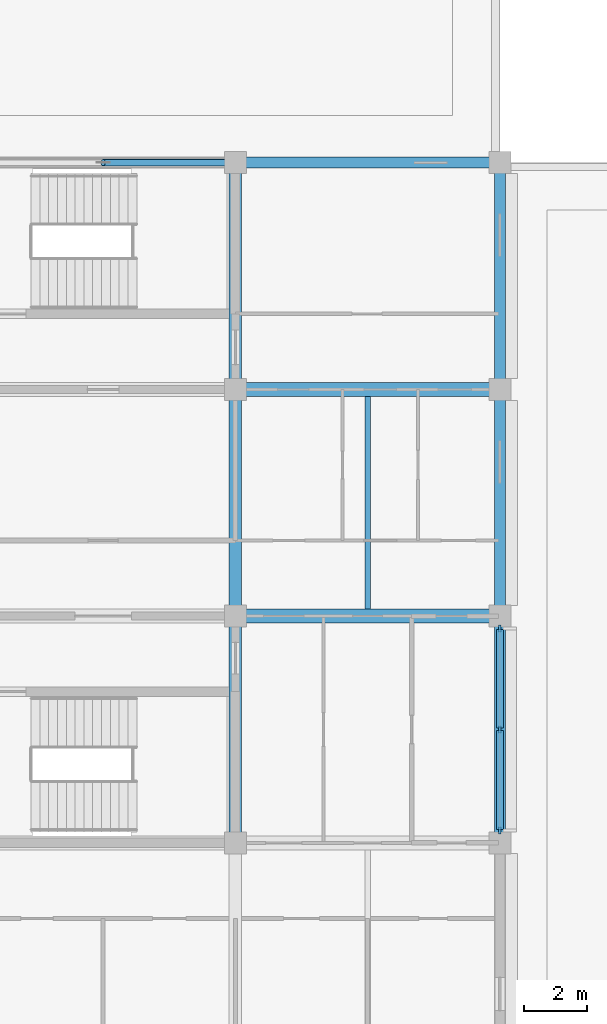
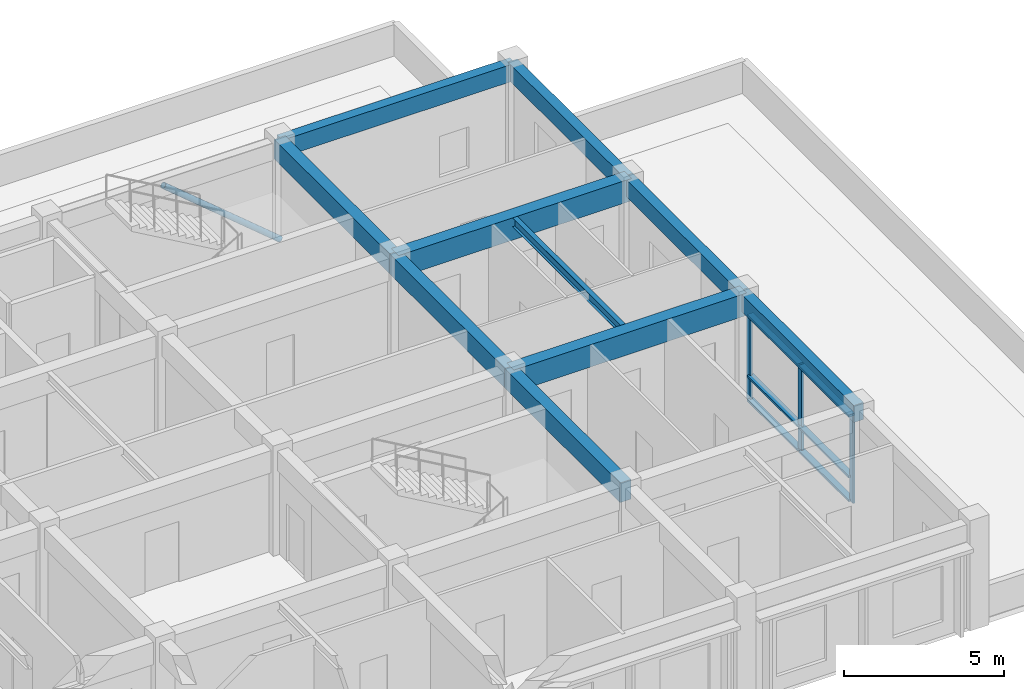
# One storey, part 5 of 19: 10 beams, 10 members, 1 element without a shape of its own.
"""IFC4 building model written with IfcOpenShell, lengths in metres."""

from ifc_helpers import new_model, si_unit, direction, frame, origin, origin_2d, place, context, subcontext, project, spatial, rectangle, hollow_circle, i_section, extrude, material, layer, layer_set, material_profile, profile_set, type_object, element, aggregate, save


model = new_model("IFC4")

# Units and contexts
model_context = context("Model", 3, precision=1e-05, world=origin(), true_north=direction((0.0, 1.0)))
body_context = subcontext(model_context, "Body", "Model", "MODEL_VIEW")
ifc_project = project(units=[si_unit("LENGTHUNIT", "METRE"), si_unit("AREAUNIT", "SQUARE_METRE"), si_unit("VOLUMEUNIT", "CUBIC_METRE"), si_unit("PLANEANGLEUNIT", "RADIAN"), si_unit("MASSUNIT", "GRAM", prefix="KILO")], contexts=[model_context])

# Site, building, storey
site_placement = place(None, origin())
site = spatial("IfcSite", under=ifc_project, at=site_placement, CompositionType="ELEMENT")
building_placement = place(site_placement, origin())
building = spatial("IfcBuilding", under=site, at=building_placement, Name="Chengyuan Square Courthouse", CompositionType="ELEMENT")
storey_placement = place(building_placement, frame((0.0, 0.0, 47.699951171875)))
storey = spatial("IfcBuildingStorey", under=building, at=storey_placement, Name="L11", CompositionType="ELEMENT", Elevation=47.699951171875)

# Beams
ifc_material_1 = material(Name="Concrete C40", Category="concrete")
ifc_material_profile_1 = material_profile(ifc_material_1, rectangle(XDim=0.449951171875, YDim=0.85009765625, at=origin_2d()), Name="RC-BM-450x850")
ifc_profile_set_1 = profile_set([ifc_material_profile_1], Name="Concrete C40")
beam_type_1 = type_object("IfcBeamType", Name="BM-01", PredefinedType="USERDEFINED", material=ifc_profile_set_1)
for number, where, z_axis, x_axis, name in (
    (1, (109.199951171875, 93.60009765625, 3.53515625), (1.0, 0.0, 0.0), (0.0, 1.0, 0.0), "Girder BM-L11-4181"),
    (2, (109.199951171875, 100.800048828125, 3.53515625), (1.0, 0.0, 0.0), (0.0, 1.0, 0.0), "Girder BM-L11-4189"),
):
    element("IfcBeam", number, at=place(storey_placement, frame(where, z_axis=z_axis, x_axis=x_axis)), inside=storey, type_object=beam_type_1, Name=name, ObjectType="GIRDER", PredefinedType="USERDEFINED", context=body_context, shape_type="SweptSolid", body=[
        extrude(rectangle(XDim=0.449951171875, YDim=0.85009765625, at=origin_2d()), origin(), (0.0, 0.0, 1.0), 8.400146484375),
    ])
ifc_material_profile_2 = material_profile(ifc_material_1, rectangle(XDim=0.39990234375, YDim=0.75, at=origin_2d()), Name="RC-BM-400x750")
ifc_profile_set_2 = profile_set([ifc_material_profile_2], Name="Concrete C40")
beam_type_2 = type_object("IfcBeamType", Name="BM-02", PredefinedType="USERDEFINED", material=ifc_profile_set_2)
beam_1_placement = place(storey_placement, frame((109.199951171875, 86.39990234375, 3.5849609375), z_axis=(0.0, 1.0, 0.0), x_axis=(-1.0, 0.0, 0.0)))
element("IfcBeam", 3, at=beam_1_placement, inside=storey, type_object=beam_type_2, Name="Girder BM-L11-4227", ObjectType="GIRDER", PredefinedType="USERDEFINED", context=body_context, shape_type="SweptSolid", body=[
    extrude(rectangle(XDim=0.39990234375, YDim=0.75, at=origin_2d()), origin(), (0.0, 0.0, 1.0), 7.2001953125),
])
for number, where, z_axis, x_axis, name in (
    (4, (109.199951171875, 93.60009765625, 3.5849609375), (0.0, 1.0, 0.0), (-1.0, 0.0, 0.0), "Girder BM-L11-4228"),
    (5, (109.199951171875, 100.800048828125, 3.5849609375), (0.0, 1.0, 0.0), (-1.0, 0.0, 0.0), "Girder BM-L11-4229"),
):
    element("IfcBeam", number, at=place(storey_placement, frame(where, z_axis=z_axis, x_axis=x_axis)), inside=storey, type_object=beam_type_2, Name=name, ObjectType="GIRDER", PredefinedType="USERDEFINED", context=body_context, shape_type="SweptSolid", body=[
        extrude(rectangle(XDim=0.39990234375, YDim=0.75, at=origin_2d()), origin(), (0.0, 0.0, 1.0), 7.199951171875),
    ])
ifc_material_profile_3 = material_profile(ifc_material_1, rectangle(XDim=0.35009765625, YDim=0.64990234375, at=origin_2d()), Name="RC-BM-350x650")
ifc_profile_set_3 = profile_set([ifc_material_profile_3], Name="Concrete C40")
beam_type_3 = type_object("IfcBeamType", Name="BM-03", PredefinedType="SPANDREL", material=ifc_profile_set_3)
beam_2_placement = place(storey_placement, frame((109.199951171875, 108.0, 3.635009765625), z_axis=(1.0, 0.0, 0.0), x_axis=(0.0, 1.0, 0.0)))
element("IfcBeam", 6, at=beam_2_placement, inside=storey, type_object=beam_type_3, Name="Girder BM-L11-4197", PredefinedType="SPANDREL", context=body_context, shape_type="SweptSolid", body=[
    extrude(rectangle(XDim=0.35009765625, YDim=0.64990234375, at=origin_2d()), origin(), (0.0, 0.0, 1.0), 8.400146484375),
])
beam_3_placement = place(storey_placement, frame((117.60009765625, 86.39990234375, 3.635009765625), z_axis=(0.0, 1.0, 0.0), x_axis=(-1.0, 0.0, 0.0)))
element("IfcBeam", 7, at=beam_3_placement, inside=storey, type_object=beam_type_3, Name="Girder BM-L11-4231", PredefinedType="SPANDREL", context=body_context, shape_type="SweptSolid", body=[
    extrude(rectangle(XDim=0.35009765625, YDim=0.64990234375, at=origin_2d()), origin(), (0.0, 0.0, 1.0), 7.2001953125),
])
for number, where, z_axis, x_axis, name in (
    (8, (117.60009765625, 93.60009765625, 3.635009765625), (0.0, 1.0, 0.0), (-1.0, 0.0, 0.0), "Girder BM-L11-4232"),
    (9, (117.60009765625, 100.800048828125, 3.635009765625), (0.0, 1.0, 0.0), (-1.0, 0.0, 0.0), "Girder BM-L11-4233"),
):
    element("IfcBeam", number, at=place(storey_placement, frame(where, z_axis=z_axis, x_axis=x_axis)), inside=storey, type_object=beam_type_3, Name=name, PredefinedType="SPANDREL", context=body_context, shape_type="SweptSolid", body=[
        extrude(rectangle(XDim=0.35009765625, YDim=0.64990234375, at=origin_2d()), origin(), (0.0, 0.0, 1.0), 7.199951171875),
    ])
ifc_material_2 = material(Name="Steel Q355B", Category="steel")
ifc_material_profile_4 = material_profile(ifc_material_2, i_section(OverallWidth=0.175048828125, OverallDepth=0.35009765625, WebThickness=0.007080078125, FlangeThickness=0.010986328125, at=origin_2d()), Name="HN 350x175x7x11")
ifc_profile_set_4 = profile_set([ifc_material_profile_4], Name="Steel Q355B")
beam_type_4 = type_object("IfcBeamType", Name="BM-08", PredefinedType="BEAM", material=ifc_profile_set_4)
beam_4_placement = place(storey_placement, frame((113.39990234375, 93.824951171875, 3.78515625), z_axis=(0.0, 1.0, 0.0), x_axis=(-1.0, 0.0, 0.0)))
element("IfcBeam", 10, at=beam_4_placement, inside=storey, type_object=beam_type_4, Name="Secondary Floor Beam SBM-L11-4245", PredefinedType="BEAM", context=body_context, shape_type="SweptSolid", body=[
    extrude(i_section(OverallWidth=0.175048828125, OverallDepth=0.35009765625, WebThickness=0.007080078125, FlangeThickness=0.010986328125, at=origin_2d()), origin(), (0.0, 0.0, 1.0), 6.75),
])

# Member
ifc_material_profile_5 = material_profile(ifc_material_2, hollow_circle(Radius=0.109619140625, WallThickness=0.008056640625, at=origin_2d()), Name="CHS 219x8")
ifc_profile_set_5 = profile_set([ifc_material_profile_5], Name="Steel Q355B")
member_type_1 = type_object("IfcMemberType", Name="BR-02", PredefinedType="BRACE", material=ifc_profile_set_5)
member_1_placement = place(storey_placement, frame((109.199951171875, 108.0, 0.10009765625), z_axis=(-0.767317473151, 0.0, 0.641267413329), x_axis=(0.0, -1.0, 0.0)))
element("IfcMember", 11, at=member_1_placement, inside=storey, type_object=member_type_1, Name="Steel Chevron Brace BR-L11-044", PredefinedType="BRACE", context=body_context, shape_type="SweptSolid", body=[
    extrude(hollow_circle(Radius=0.109619140625, WallThickness=0.008056640625, at=origin_2d()), origin(), (0.0, 0.0, 1.0), 5.4736328125),
])

# Curtain wall, members
ifc_material_3 = material(Name="Unitised Aluminium and Triple Low-E Glass", Category="aluminium")
ifc_layer = layer(ifc_material_3, 0.219970703125)
ifc_layer_set = layer_set([ifc_layer], Name="Unitised Aluminium and Triple Low-E Glass")
curtain_wall_type = type_object("IfcCurtainWallType", Name="CW-20", PredefinedType="USERDEFINED", material=ifc_layer_set)
curtain_wall_placement = place(storey_placement, origin())
curtain_wall = element("IfcCurtainWall", 12, at=curtain_wall_placement, inside=storey, type_object=curtain_wall_type, Name="Unitised Curtain Wall CW-L11-263", ObjectType="UNITISED CURTAIN WALL", PredefinedType="USERDEFINED")
ifc_material_4 = material(Name="Aluminium 6063-T6 Frame", Category="aluminium")
ifc_material_profile_6 = material_profile(ifc_material_4, rectangle(XDim=0.080078125, YDim=0.219970703125, at=origin_2d()), Name="CW-MUL-80x220")
ifc_profile_set_6 = profile_set([ifc_material_profile_6], Name="Aluminium 6063-T6 Frame")
member_type_2 = type_object("IfcMemberType", Name="CWM-04", PredefinedType="MULLION", material=ifc_profile_set_6)
member_2_placement = place(storey_placement, frame((117.60009765625, 86.7900390625, 0.0), z_axis=(0.0, 0.0, 1.0), x_axis=(-1.0, 0.0, 0.0)))
member_2 = element("IfcMember", 13, at=member_2_placement, type_object=member_type_2, Name="CW-20 mullion 1", PredefinedType="MULLION", context=body_context, shape_type="SweptSolid", body=[
    extrude(rectangle(XDim=0.080078125, YDim=0.219970703125, at=origin_2d()), origin(), (0.0, 0.0, 1.0), 3.31005859375),
])
member_3_placement = place(storey_placement, frame((117.60009765625, 90.0, 0.0), z_axis=(0.0, 0.0, 1.0), x_axis=(-1.0, 0.0, 0.0)))
member_3 = element("IfcMember", 14, at=member_3_placement, type_object=member_type_2, Name="CW-20 mullion 2", PredefinedType="MULLION", context=body_context, shape_type="SweptSolid", body=[
    extrude(rectangle(XDim=0.080078125, YDim=0.219970703125, at=origin_2d()), origin(), (0.0, 0.0, 1.0), 3.31005859375),
])
member_4_placement = place(storey_placement, frame((117.60009765625, 93.2099609375, 0.0), z_axis=(0.0, 0.0, 1.0), x_axis=(-1.0, 0.0, 0.0)))
member_4 = element("IfcMember", 15, at=member_4_placement, type_object=member_type_2, Name="CW-20 mullion 3", PredefinedType="MULLION", context=body_context, shape_type="SweptSolid", body=[
    extrude(rectangle(XDim=0.080078125, YDim=0.219970703125, at=origin_2d()), origin(), (0.0, 0.0, 1.0), 3.31005859375),
])
ifc_material_profile_7 = material_profile(ifc_material_4, rectangle(XDim=0.219970703125, YDim=0.080078125, at=origin_2d()), Name="CW-TRN-80x180")
ifc_profile_set_7 = profile_set([ifc_material_profile_7], Name="Aluminium 6063-T6 Frame")
member_type_3 = type_object("IfcMemberType", Name="CWT-04", PredefinedType="USERDEFINED", material=ifc_profile_set_7)
member_5_placement = place(storey_placement, frame((117.60009765625, 86.830078125, 0.0400390625), z_axis=(0.0, 1.0, 0.0), x_axis=(-1.0, 0.0, 0.0)))
member_5 = element("IfcMember", 16, at=member_5_placement, type_object=member_type_3, Name="CW-20 transom 1.1", ObjectType="TRANSOM", PredefinedType="USERDEFINED", context=body_context, shape_type="SweptSolid", body=[
    extrude(rectangle(XDim=0.219970703125, YDim=0.080078125, at=origin_2d()), origin(), (0.0, 0.0, 1.0), 3.1298828125),
])
member_6_placement = place(storey_placement, frame((117.60009765625, 86.830078125, 0.949951171875), z_axis=(0.0, 1.0, 0.0), x_axis=(-1.0, 0.0, 0.0)))
member_6 = element("IfcMember", 17, at=member_6_placement, type_object=member_type_3, Name="CW-20 transom 1.2", ObjectType="TRANSOM", PredefinedType="USERDEFINED", context=body_context, shape_type="SweptSolid", body=[
    extrude(rectangle(XDim=0.219970703125, YDim=0.080078125, at=origin_2d()), origin(), (0.0, 0.0, 1.0), 3.1298828125),
])
member_7_placement = place(storey_placement, frame((117.60009765625, 86.830078125, 3.27001953125), z_axis=(0.0, 1.0, 0.0), x_axis=(-1.0, 0.0, 0.0)))
member_7 = element("IfcMember", 18, at=member_7_placement, type_object=member_type_3, Name="CW-20 transom 1.3", ObjectType="TRANSOM", PredefinedType="USERDEFINED", context=body_context, shape_type="SweptSolid", body=[
    extrude(rectangle(XDim=0.219970703125, YDim=0.080078125, at=origin_2d()), origin(), (0.0, 0.0, 1.0), 3.1298828125),
])
member_8_placement = place(storey_placement, frame((117.60009765625, 90.0400390625, 0.0400390625), z_axis=(0.0, 1.0, 0.0), x_axis=(-1.0, 0.0, 0.0)))
member_8 = element("IfcMember", 19, at=member_8_placement, type_object=member_type_3, Name="CW-20 transom 2.1", ObjectType="TRANSOM", PredefinedType="USERDEFINED", context=body_context, shape_type="SweptSolid", body=[
    extrude(rectangle(XDim=0.219970703125, YDim=0.080078125, at=origin_2d()), origin(), (0.0, 0.0, 1.0), 3.1298828125),
])
member_9_placement = place(storey_placement, frame((117.60009765625, 90.0400390625, 0.949951171875), z_axis=(0.0, 1.0, 0.0), x_axis=(-1.0, 0.0, 0.0)))
member_9 = element("IfcMember", 20, at=member_9_placement, type_object=member_type_3, Name="CW-20 transom 2.2", ObjectType="TRANSOM", PredefinedType="USERDEFINED", context=body_context, shape_type="SweptSolid", body=[
    extrude(rectangle(XDim=0.219970703125, YDim=0.080078125, at=origin_2d()), origin(), (0.0, 0.0, 1.0), 3.1298828125),
])
member_10_placement = place(storey_placement, frame((117.60009765625, 90.0400390625, 3.27001953125), z_axis=(0.0, 1.0, 0.0), x_axis=(-1.0, 0.0, 0.0)))
member_10 = element("IfcMember", 21, at=member_10_placement, type_object=member_type_3, Name="CW-20 transom 2.3", ObjectType="TRANSOM", PredefinedType="USERDEFINED", context=body_context, shape_type="SweptSolid", body=[
    extrude(rectangle(XDim=0.219970703125, YDim=0.080078125, at=origin_2d()), origin(), (0.0, 0.0, 1.0), 3.1298828125),
])
aggregate(curtain_wall, [member_2, member_3, member_4, member_5, member_6, member_7, member_8, member_9, member_10])

save(model, "model.ifc")
